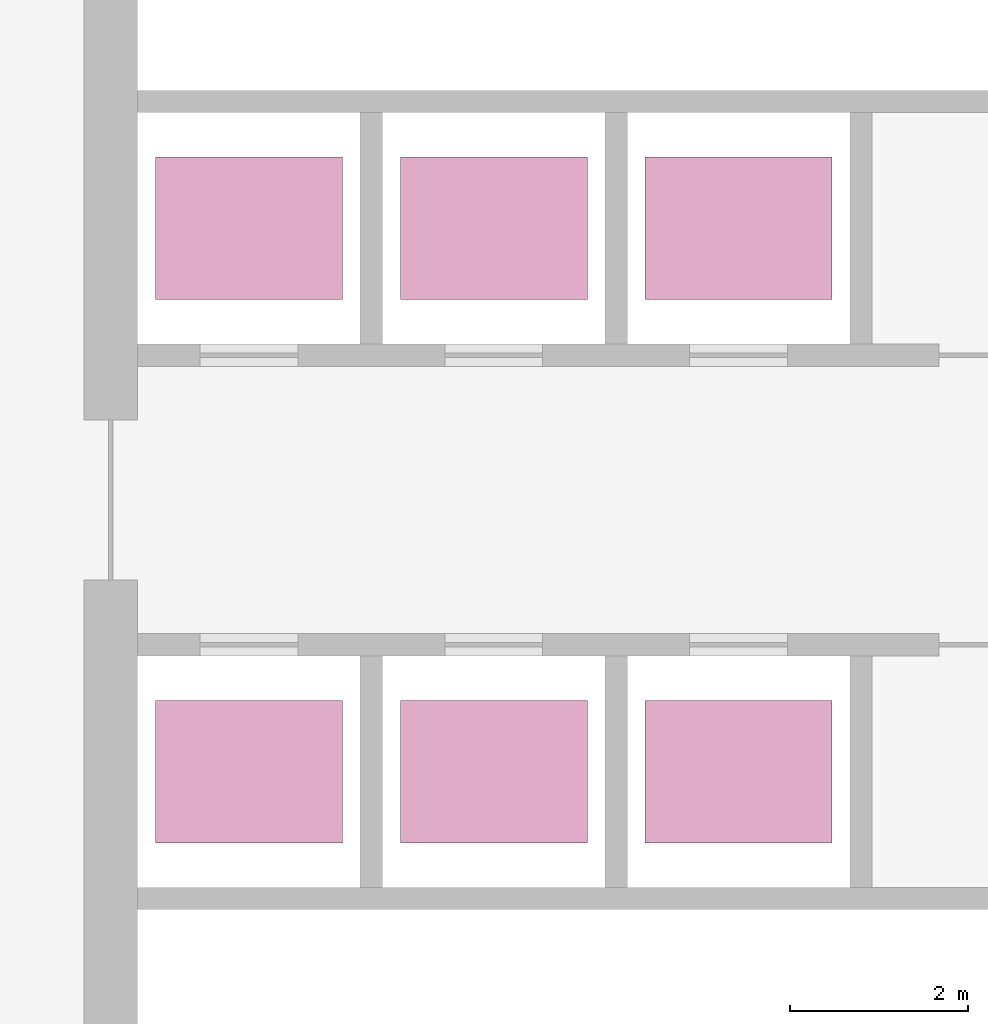
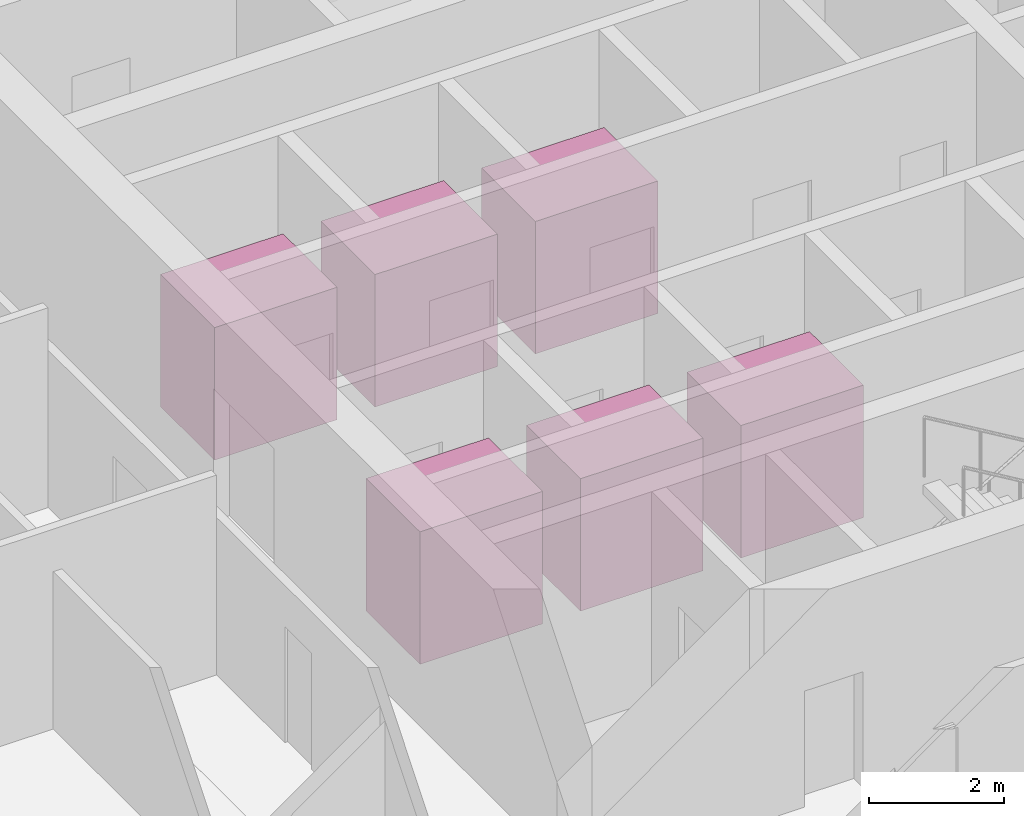
# One storey, part 12 of 12: 6 transport elements.
"""IFC4 building model written with IfcOpenShell, lengths in metres."""

from ifc_helpers import new_model, si_unit, direction, frame, origin, origin_2d, place, context, subcontext, project, spatial, rectangle, extrude, material, type_object, element, save


model = new_model("IFC4")

# Units and contexts
model_context = context("Model", 3, precision=1e-05, world=origin(), true_north=direction((0.0, 1.0)))
body_context = subcontext(model_context, "Body", "Model", "MODEL_VIEW")
ifc_project = project(units=[si_unit("LENGTHUNIT", "METRE"), si_unit("AREAUNIT", "SQUARE_METRE"), si_unit("VOLUMEUNIT", "CUBIC_METRE"), si_unit("PLANEANGLEUNIT", "RADIAN"), si_unit("MASSUNIT", "GRAM", prefix="KILO")], contexts=[model_context])

# Site, building, storey
site_placement = place(None, origin())
site = spatial("IfcSite", under=ifc_project, at=site_placement, CompositionType="ELEMENT")
building_placement = place(site_placement, origin())
building = spatial("IfcBuilding", under=site, at=building_placement, Name="Ostroluk Exchange", CompositionType="ELEMENT")
storey_placement = place(building_placement, frame((0.0, 0.0, 165.39990234375)))
storey = spatial("IfcBuildingStorey", under=building, at=storey_placement, Name="L42", CompositionType="ELEMENT", Elevation=165.39990234375)

# Transport elements
ifc_material = material(Name="Steel S355", Category="steel")
transport_element_type = type_object("IfcTransportElementType", Name="Passenger lift 1600 kg", PredefinedType="ELEVATOR", material=ifc_material)
for number, where, z_axis, x_axis, name in (
    (1, (36.949951171875, 49.050048828125, 0.000244140625), (0.0, 0.0, 1.0), (1.0, 0.0, 0.0), "Lift PL-H1"),
    (2, (39.699951171875, 49.050048828125, 0.000244140625), (0.0, 0.0, 1.0), (1.0, 0.0, 0.0), "Lift PL-H2"),
    (3, (42.449951171875, 49.050048828125, 0.000244140625), (0.0, 0.0, 1.0), (1.0, 0.0, 0.0), "Lift PL-H3"),
    (4, (36.949951171875, 42.949951171875, 0.000244140625), (0.0, 0.0, 1.0), (1.0, 0.0, 0.0), "Lift PL-H4"),
    (5, (39.699951171875, 42.949951171875, 0.000244140625), (0.0, 0.0, 1.0), (1.0, 0.0, 0.0), "Lift PL-H5"),
    (6, (42.449951171875, 42.949951171875, 0.000244140625), (0.0, 0.0, 1.0), (1.0, 0.0, 0.0), "Lift PL-H6"),
):
    element("IfcTransportElement", number, at=place(storey_placement, frame(where, z_axis=z_axis, x_axis=x_axis)), inside=storey, type_object=transport_element_type, Name=name, PredefinedType="ELEVATOR", context=body_context, shape_type="SweptSolid", body=[
        extrude(rectangle(XDim=2.10009765625, YDim=1.60009765625, at=origin_2d()), origin(), (0.0, 0.0, 1.0), 2.39990234375),
    ])

save(model, "model.ifc")
